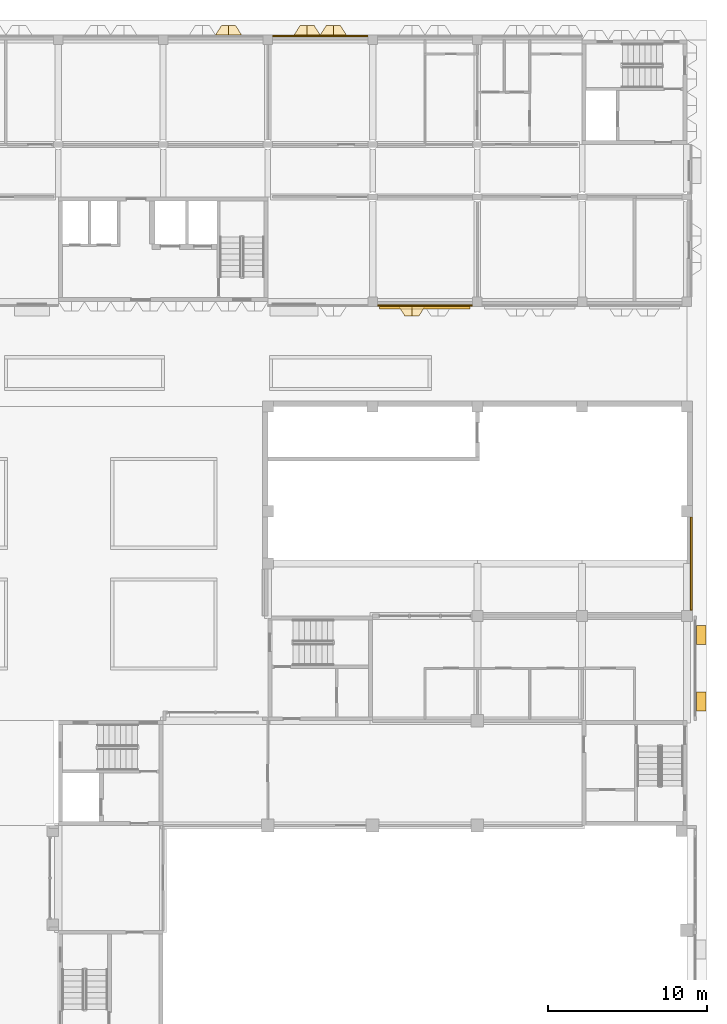
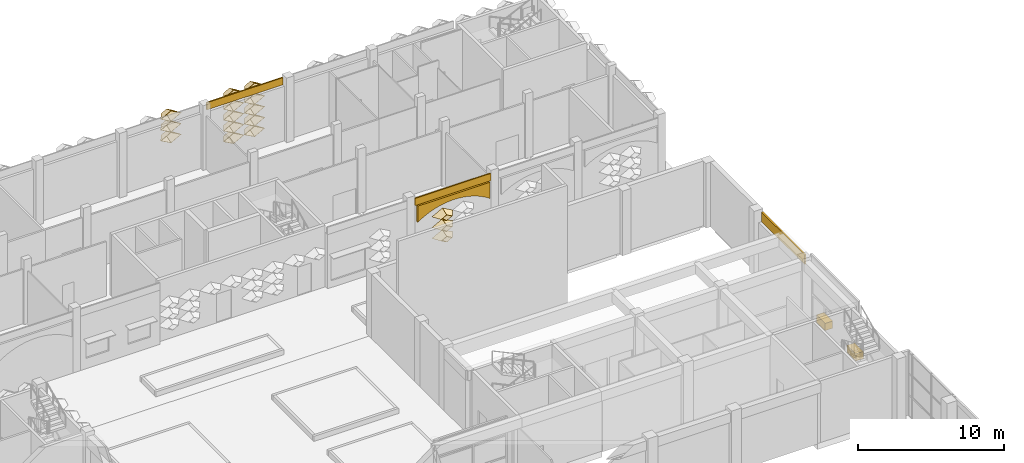
# One storey, part 79 of 85: 22 coverings.
"""IFC4 building model written with IfcOpenShell, lengths in metres."""

from ifc_helpers import new_model, entity, si_unit, direction, frame, frame_2d, origin, origin_2d, place, context, subcontext, project, spatial, polyline, rectangle, outline, extrude, material, layer, layer_set, type_object, element, save


model = new_model("IFC4")

# Units and contexts
model_context = context("Model", 3, precision=1e-05, world=origin(), true_north=direction((0.0, 1.0)))
body_context = subcontext(model_context, "Body", "Model", "MODEL_VIEW")
ifc_project = project(units=[si_unit("LENGTHUNIT", "METRE"), si_unit("AREAUNIT", "SQUARE_METRE"), si_unit("VOLUMEUNIT", "CUBIC_METRE"), si_unit("PLANEANGLEUNIT", "RADIAN"), si_unit("MASSUNIT", "GRAM", prefix="KILO")], contexts=[model_context])

# Site, building, storey
site_placement = place(None, origin())
site = spatial("IfcSite", under=ifc_project, at=site_placement, CompositionType="ELEMENT")
building_placement = place(site_placement, origin())
building = spatial("IfcBuilding", under=site, at=building_placement, Name="Lantern Court Research Institute", CompositionType="ELEMENT")
storey_placement = place(building_placement, origin())
storey = spatial("IfcBuildingStorey", under=building, at=storey_placement, Name="L00", CompositionType="ELEMENT", Elevation=0.0)

# Coverings
ifc_material_1 = material(Name="Glass fibre reinforced concrete cladding", Category="concrete")
ifc_layer_1 = layer(ifc_material_1, 0.25)
ifc_layer_set_1 = layer_set([ifc_layer_1], Name="Glass fibre reinforced concrete cladding")
covering_type_1 = type_object("IfcCoveringType", Name="Arcade frieze panel 250 glass fibre reinforced concrete", PredefinedType="CLADDING", material=ifc_layer_set_1)
covering_1_placement = place(storey_placement, frame((0.0, 82.199951171875, 0.0), z_axis=(0.0, -1.0, 0.0), x_axis=(1.0, 0.0, 0.0)))
element("IfcCovering", 1, at=covering_1_placement, inside=storey, type_object=covering_type_1, Name="Cloister arched frieze panel 6", PredefinedType="CLADDING", context=body_context, shape_type="SweptSolid", body=[
    extrude(outline(polyline([(59.85009765625, 4.550048828125), (59.85009765625, 3.199951171875), (60.08740234375, 3.356689453125), (60.324951171875, 3.494873046875), (60.5625, 3.615966796875), (60.800048828125, 3.721923828125), (61.03759765625, 3.813232421875), (61.27490234375, 3.89111328125), (61.512451171875, 3.955810546875), (61.75, 4.00830078125), (61.987548828125, 4.048583984375), (62.22509765625, 4.0771484375), (62.46240234375, 4.09423828125), (62.699951171875, 4.10009765625), (62.9375, 4.09423828125), (63.175048828125, 4.0771484375), (63.41259765625, 4.048583984375), (63.64990234375, 4.00830078125), (63.887451171875, 3.955810546875), (64.125, 3.89111328125), (64.362548828125, 3.813232421875), (64.60009765625, 3.721923828125), (64.83740234375, 3.615966796875), (65.074951171875, 3.494873046875), (65.3125, 3.356689453125), (65.550048828125, 3.199951171875), (65.550048828125, 4.550048828125), (59.85009765625, 4.550048828125)])), origin(), (0.0, 0.0, 1.0), 0.14990234375),
])
ifc_material_2 = material(Name="Aluminium composite panel with mineral wool insulation", Category="aluminium")
ifc_layer_2 = layer(ifc_material_2, 0.10009765625)
ifc_layer_set_2 = layer_set([ifc_layer_2], Name="Aluminium composite panel with mineral wool insulation")
covering_type_2 = type_object("IfcCoveringType", Name="Edge fascia panel 100 aluminium faced", PredefinedType="CLADDING", material=ifc_layer_set_2)
for number, where, z_axis, x_axis, name in (
    (2, (53.10009765625, 99.25, 4.550048828125), (0.0, 0.0, 1.0), (1.0, 0.0, 0.0), "Edge fascia V6N L00 08"),
    (3, (65.699951171875, 82.25, 4.550048828125), (0.0, 0.0, 1.0), (-1.0, 0.0, 0.0), "Edge fascia V6S L00 08"),
):
    element("IfcCovering", number, at=place(storey_placement, frame(where, z_axis=z_axis, x_axis=x_axis)), inside=storey, type_object=covering_type_2, Name=name, PredefinedType="CLADDING", context=body_context, shape_type="SweptSolid", body=[
        extrude(rectangle(XDim=6.0, YDim=0.10009765625, at=frame_2d((3.0, 0.0))), origin(), (0.0, 0.0, 1.0), 0.599853515625),
    ])
ifc_material_3 = material(Name="Aluminium composite panel with mineral wool insulation", Category="aluminium")
ifc_layer_3 = layer(ifc_material_3, 0.125)
ifc_layer_set_3 = layer_set([ifc_layer_3], Name="Aluminium composite panel with mineral wool insulation")
covering_type_3 = type_object("IfcCoveringType", Name="Edge fascia panel 125 aluminium faced", PredefinedType="CLADDING", material=ifc_layer_set_3)
covering_2_placement = place(storey_placement, frame((79.487548828125, 68.949951171875, 4.35009765625), z_axis=(0.0, 0.0, 1.0), x_axis=(0.0, -1.0, 0.0)))
element("IfcCovering", 4, at=covering_2_placement, inside=storey, type_object=covering_type_3, Name="Edge fascia V1E L00 01", PredefinedType="CLADDING", context=body_context, shape_type="SweptSolid", body=[
    extrude(rectangle(XDim=5.89990234375, YDim=0.125, at=frame_2d((2.949951171875, 0.0))), origin(), (0.0, 0.0, 1.0), 0.7998046875),
])
ifc_material_4 = material(Name="Glass fibre reinforced concrete cladding", Category="concrete")
ifc_layer_4 = layer(ifc_material_4, 0.699951171875)
ifc_layer_set_4 = layer_set([ifc_layer_4], Name="Glass fibre reinforced concrete cladding")
covering_type_4 = type_object("IfcCoveringType", Name="Entrance planter 700 glass fibre reinforced concrete", PredefinedType="CLADDING", material=ifc_layer_set_4)
for number, where, z_axis, x_axis, name in (
    (5, (80.10009765625, 61.5, 0.0), (0.0, 0.0, 1.0), (1.0, 0.0, 0.0), "Entrance planter 1"),
    (6, (80.10009765625, 57.300048828125, 0.0), (0.0, 0.0, 1.0), (1.0, 0.0, 0.0), "Entrance planter 2"),
):
    element("IfcCovering", number, at=place(storey_placement, frame(where, z_axis=z_axis, x_axis=x_axis)), inside=storey, type_object=covering_type_4, Name=name, PredefinedType="CLADDING", context=body_context, shape_type="SweptSolid", body=[
        extrude(rectangle(XDim=0.60009765625, YDim=1.199951171875, at=origin_2d()), origin(), (0.0, 0.0, 1.0), 0.60009765625),
    ])
ifc_material_5 = material(Name="Anodised aluminium", Category="aluminium")
ifc_layer_5 = layer(ifc_material_5, 0.01611328125)
ifc_layer_set_5 = layer_set([ifc_layer_5], Name="Anodised aluminium")
covering_type_5 = type_object("IfcCoveringType", Name="Fin cassette 1650 x 900 x 600 aluminium", PredefinedType="CLADDING", material=ifc_layer_set_5)
covering_3_placement = place(storey_placement, frame((55.27490234375, 99.300048828125, 1.35009765625), z_axis=(0.0, 1.0, 0.0), x_axis=(-1.0, 0.0, 0.0)))
cartesian_point_1 = entity("IfcCartesianPoint", [0.824951171875, 0.0])
cartesian_point_2 = entity("IfcCartesianPoint", [0.79150390625, 0.0])
cartesian_point_3 = entity("IfcCartesianPoint", [0.44189453125, 0.0])
cartesian_point_4 = entity("IfcCartesianPoint", [0.43359375, 0.0])
element("IfcCovering", 7, at=covering_3_placement, inside=storey, type_object=covering_type_5, Name="Fin cassette V6N-L00 2.34", PredefinedType="CLADDING", context=body_context, shape_type="SweptSolid", body=[
    entity("IfcExtrudedAreaSolidTapered", entity("IfcArbitraryProfileDefWithVoids", "AREA", None, entity("IfcPolyline", [cartesian_point_1, entity("IfcCartesianPoint", [0.0, 0.449951171875]), entity("IfcCartesianPoint", [-0.824951171875, 0.0]), entity("IfcCartesianPoint", [0.0, -0.449951171875]), cartesian_point_1]), [entity("IfcPolyline", [cartesian_point_2, entity("IfcCartesianPoint", [0.0, 0.431884765625]), entity("IfcCartesianPoint", [-0.79150390625, 0.0]), entity("IfcCartesianPoint", [0.0, -0.431884765625]), cartesian_point_2])]), entity("IfcAxis2Placement3D", entity("IfcCartesianPoint", [0.0, 0.0, 0.0])), entity("IfcDirection", [0.0, 0.0, 1.0]), 0.60009765625, entity("IfcArbitraryProfileDefWithVoids", "AREA", None, entity("IfcPolyline", [cartesian_point_3, entity("IfcCartesianPoint", [0.0, 0.240966796875]), entity("IfcCartesianPoint", [-0.44189453125, 0.0]), entity("IfcCartesianPoint", [0.0, -0.240966796875]), cartesian_point_3]), [entity("IfcPolyline", [cartesian_point_4, entity("IfcCartesianPoint", [0.0, 0.236572265625]), entity("IfcCartesianPoint", [-0.43359375, 0.0]), entity("IfcCartesianPoint", [0.0, -0.236572265625]), cartesian_point_4])])),
])
covering_4_placement = place(storey_placement, frame((56.925048828125, 99.300048828125, 1.35009765625), z_axis=(0.0, 1.0, 0.0), x_axis=(-1.0, 0.0, 0.0)))
cartesian_point_5 = entity("IfcCartesianPoint", [0.824951171875, 0.0])
cartesian_point_6 = entity("IfcCartesianPoint", [0.79150390625, 0.0])
cartesian_point_7 = entity("IfcCartesianPoint", [0.44189453125, 0.0])
cartesian_point_8 = entity("IfcCartesianPoint", [0.43359375, 0.0])
element("IfcCovering", 8, at=covering_4_placement, inside=storey, type_object=covering_type_5, Name="Fin cassette V6N-L00 2.35", PredefinedType="CLADDING", context=body_context, shape_type="SweptSolid", body=[
    entity("IfcExtrudedAreaSolidTapered", entity("IfcArbitraryProfileDefWithVoids", "AREA", None, entity("IfcPolyline", [cartesian_point_5, entity("IfcCartesianPoint", [0.0, 0.449951171875]), entity("IfcCartesianPoint", [-0.824951171875, 0.0]), entity("IfcCartesianPoint", [0.0, -0.449951171875]), cartesian_point_5]), [entity("IfcPolyline", [cartesian_point_6, entity("IfcCartesianPoint", [0.0, 0.431884765625]), entity("IfcCartesianPoint", [-0.79150390625, 0.0]), entity("IfcCartesianPoint", [0.0, -0.431884765625]), cartesian_point_6])]), entity("IfcAxis2Placement3D", entity("IfcCartesianPoint", [0.0, 0.0, 0.0])), entity("IfcDirection", [0.0, 0.0, 1.0]), 0.60009765625, entity("IfcArbitraryProfileDefWithVoids", "AREA", None, entity("IfcPolyline", [cartesian_point_7, entity("IfcCartesianPoint", [0.0, 0.240966796875]), entity("IfcCartesianPoint", [-0.44189453125, 0.0]), entity("IfcCartesianPoint", [0.0, -0.240966796875]), cartesian_point_7]), [entity("IfcPolyline", [cartesian_point_8, entity("IfcCartesianPoint", [0.0, 0.236572265625]), entity("IfcCartesianPoint", [-0.43359375, 0.0]), entity("IfcCartesianPoint", [0.0, -0.236572265625]), cartesian_point_8])])),
])
covering_5_placement = place(storey_placement, frame((55.27490234375, 99.300048828125, 2.25), z_axis=(0.0, 1.0, 0.0), x_axis=(-1.0, 0.0, 0.0)))
cartesian_point_9 = entity("IfcCartesianPoint", [0.824951171875, 0.0])
cartesian_point_10 = entity("IfcCartesianPoint", [0.79150390625, 0.0])
cartesian_point_11 = entity("IfcCartesianPoint", [0.44189453125, 0.0])
cartesian_point_12 = entity("IfcCartesianPoint", [0.43359375, 0.0])
element("IfcCovering", 9, at=covering_5_placement, inside=storey, type_object=covering_type_5, Name="Fin cassette V6N-L00 3.34", PredefinedType="CLADDING", context=body_context, shape_type="SweptSolid", body=[
    entity("IfcExtrudedAreaSolidTapered", entity("IfcArbitraryProfileDefWithVoids", "AREA", None, entity("IfcPolyline", [cartesian_point_9, entity("IfcCartesianPoint", [0.0, 0.449951171875]), entity("IfcCartesianPoint", [-0.824951171875, 0.0]), entity("IfcCartesianPoint", [0.0, -0.449951171875]), cartesian_point_9]), [entity("IfcPolyline", [cartesian_point_10, entity("IfcCartesianPoint", [0.0, 0.431884765625]), entity("IfcCartesianPoint", [-0.79150390625, 0.0]), entity("IfcCartesianPoint", [0.0, -0.431884765625]), cartesian_point_10])]), entity("IfcAxis2Placement3D", entity("IfcCartesianPoint", [0.0, 0.0, 0.0])), entity("IfcDirection", [0.0, 0.0, 1.0]), 0.60009765625, entity("IfcArbitraryProfileDefWithVoids", "AREA", None, entity("IfcPolyline", [cartesian_point_11, entity("IfcCartesianPoint", [0.0, 0.240966796875]), entity("IfcCartesianPoint", [-0.44189453125, 0.0]), entity("IfcCartesianPoint", [0.0, -0.240966796875]), cartesian_point_11]), [entity("IfcPolyline", [cartesian_point_12, entity("IfcCartesianPoint", [0.0, 0.236572265625]), entity("IfcCartesianPoint", [-0.43359375, 0.0]), entity("IfcCartesianPoint", [0.0, -0.236572265625]), cartesian_point_12])])),
])
covering_6_placement = place(storey_placement, frame((56.925048828125, 99.300048828125, 2.25), z_axis=(0.0, 1.0, 0.0), x_axis=(-1.0, 0.0, 0.0)))
cartesian_point_13 = entity("IfcCartesianPoint", [0.824951171875, 0.0])
cartesian_point_14 = entity("IfcCartesianPoint", [0.79150390625, 0.0])
cartesian_point_15 = entity("IfcCartesianPoint", [0.44189453125, 0.0])
cartesian_point_16 = entity("IfcCartesianPoint", [0.43359375, 0.0])
element("IfcCovering", 10, at=covering_6_placement, inside=storey, type_object=covering_type_5, Name="Fin cassette V6N-L00 3.35", PredefinedType="CLADDING", context=body_context, shape_type="SweptSolid", body=[
    entity("IfcExtrudedAreaSolidTapered", entity("IfcArbitraryProfileDefWithVoids", "AREA", None, entity("IfcPolyline", [cartesian_point_13, entity("IfcCartesianPoint", [0.0, 0.449951171875]), entity("IfcCartesianPoint", [-0.824951171875, 0.0]), entity("IfcCartesianPoint", [0.0, -0.449951171875]), cartesian_point_13]), [entity("IfcPolyline", [cartesian_point_14, entity("IfcCartesianPoint", [0.0, 0.431884765625]), entity("IfcCartesianPoint", [-0.79150390625, 0.0]), entity("IfcCartesianPoint", [0.0, -0.431884765625]), cartesian_point_14])]), entity("IfcAxis2Placement3D", entity("IfcCartesianPoint", [0.0, 0.0, 0.0])), entity("IfcDirection", [0.0, 0.0, 1.0]), 0.60009765625, entity("IfcArbitraryProfileDefWithVoids", "AREA", None, entity("IfcPolyline", [cartesian_point_15, entity("IfcCartesianPoint", [0.0, 0.240966796875]), entity("IfcCartesianPoint", [-0.44189453125, 0.0]), entity("IfcCartesianPoint", [0.0, -0.240966796875]), cartesian_point_15]), [entity("IfcPolyline", [cartesian_point_16, entity("IfcCartesianPoint", [0.0, 0.236572265625]), entity("IfcCartesianPoint", [-0.43359375, 0.0]), entity("IfcCartesianPoint", [0.0, -0.236572265625]), cartesian_point_16])])),
])
covering_7_placement = place(storey_placement, frame((50.324951171875, 99.300048828125, 3.14990234375), z_axis=(0.0, 1.0, 0.0), x_axis=(-1.0, 0.0, 0.0)))
cartesian_point_17 = entity("IfcCartesianPoint", [0.824951171875, 0.0])
cartesian_point_18 = entity("IfcCartesianPoint", [0.79150390625, 0.0])
cartesian_point_19 = entity("IfcCartesianPoint", [0.44189453125, 0.0])
cartesian_point_20 = entity("IfcCartesianPoint", [0.43359375, 0.0])
element("IfcCovering", 11, at=covering_7_placement, inside=storey, type_object=covering_type_5, Name="Fin cassette V6N-L00 4.31", PredefinedType="CLADDING", context=body_context, shape_type="SweptSolid", body=[
    entity("IfcExtrudedAreaSolidTapered", entity("IfcArbitraryProfileDefWithVoids", "AREA", None, entity("IfcPolyline", [cartesian_point_17, entity("IfcCartesianPoint", [0.0, 0.449951171875]), entity("IfcCartesianPoint", [-0.824951171875, 0.0]), entity("IfcCartesianPoint", [0.0, -0.449951171875]), cartesian_point_17]), [entity("IfcPolyline", [cartesian_point_18, entity("IfcCartesianPoint", [0.0, 0.431884765625]), entity("IfcCartesianPoint", [-0.79150390625, 0.0]), entity("IfcCartesianPoint", [0.0, -0.431884765625]), cartesian_point_18])]), entity("IfcAxis2Placement3D", entity("IfcCartesianPoint", [0.0, 0.0, 0.0])), entity("IfcDirection", [0.0, 0.0, 1.0]), 0.60009765625, entity("IfcArbitraryProfileDefWithVoids", "AREA", None, entity("IfcPolyline", [cartesian_point_19, entity("IfcCartesianPoint", [0.0, 0.240966796875]), entity("IfcCartesianPoint", [-0.44189453125, 0.0]), entity("IfcCartesianPoint", [0.0, -0.240966796875]), cartesian_point_19]), [entity("IfcPolyline", [cartesian_point_20, entity("IfcCartesianPoint", [0.0, 0.236572265625]), entity("IfcCartesianPoint", [-0.43359375, 0.0]), entity("IfcCartesianPoint", [0.0, -0.236572265625]), cartesian_point_20])])),
])
covering_8_placement = place(storey_placement, frame((55.27490234375, 99.300048828125, 3.14990234375), z_axis=(0.0, 1.0, 0.0), x_axis=(-1.0, 0.0, 0.0)))
cartesian_point_21 = entity("IfcCartesianPoint", [0.824951171875, 0.0])
cartesian_point_22 = entity("IfcCartesianPoint", [0.79150390625, 0.0])
cartesian_point_23 = entity("IfcCartesianPoint", [0.44189453125, 0.0])
cartesian_point_24 = entity("IfcCartesianPoint", [0.43359375, 0.0])
element("IfcCovering", 12, at=covering_8_placement, inside=storey, type_object=covering_type_5, Name="Fin cassette V6N-L00 4.34", PredefinedType="CLADDING", context=body_context, shape_type="SweptSolid", body=[
    entity("IfcExtrudedAreaSolidTapered", entity("IfcArbitraryProfileDefWithVoids", "AREA", None, entity("IfcPolyline", [cartesian_point_21, entity("IfcCartesianPoint", [0.0, 0.449951171875]), entity("IfcCartesianPoint", [-0.824951171875, 0.0]), entity("IfcCartesianPoint", [0.0, -0.449951171875]), cartesian_point_21]), [entity("IfcPolyline", [cartesian_point_22, entity("IfcCartesianPoint", [0.0, 0.431884765625]), entity("IfcCartesianPoint", [-0.79150390625, 0.0]), entity("IfcCartesianPoint", [0.0, -0.431884765625]), cartesian_point_22])]), entity("IfcAxis2Placement3D", entity("IfcCartesianPoint", [0.0, 0.0, 0.0])), entity("IfcDirection", [0.0, 0.0, 1.0]), 0.60009765625, entity("IfcArbitraryProfileDefWithVoids", "AREA", None, entity("IfcPolyline", [cartesian_point_23, entity("IfcCartesianPoint", [0.0, 0.240966796875]), entity("IfcCartesianPoint", [-0.44189453125, 0.0]), entity("IfcCartesianPoint", [0.0, -0.240966796875]), cartesian_point_23]), [entity("IfcPolyline", [cartesian_point_24, entity("IfcCartesianPoint", [0.0, 0.236572265625]), entity("IfcCartesianPoint", [-0.43359375, 0.0]), entity("IfcCartesianPoint", [0.0, -0.236572265625]), cartesian_point_24])])),
])
covering_9_placement = place(storey_placement, frame((56.925048828125, 99.300048828125, 3.14990234375), z_axis=(0.0, 1.0, 0.0), x_axis=(-1.0, 0.0, 0.0)))
cartesian_point_25 = entity("IfcCartesianPoint", [0.824951171875, 0.0])
cartesian_point_26 = entity("IfcCartesianPoint", [0.79150390625, 0.0])
cartesian_point_27 = entity("IfcCartesianPoint", [0.44189453125, 0.0])
cartesian_point_28 = entity("IfcCartesianPoint", [0.43359375, 0.0])
element("IfcCovering", 13, at=covering_9_placement, inside=storey, type_object=covering_type_5, Name="Fin cassette V6N-L00 4.35", PredefinedType="CLADDING", context=body_context, shape_type="SweptSolid", body=[
    entity("IfcExtrudedAreaSolidTapered", entity("IfcArbitraryProfileDefWithVoids", "AREA", None, entity("IfcPolyline", [cartesian_point_25, entity("IfcCartesianPoint", [0.0, 0.449951171875]), entity("IfcCartesianPoint", [-0.824951171875, 0.0]), entity("IfcCartesianPoint", [0.0, -0.449951171875]), cartesian_point_25]), [entity("IfcPolyline", [cartesian_point_26, entity("IfcCartesianPoint", [0.0, 0.431884765625]), entity("IfcCartesianPoint", [-0.79150390625, 0.0]), entity("IfcCartesianPoint", [0.0, -0.431884765625]), cartesian_point_26])]), entity("IfcAxis2Placement3D", entity("IfcCartesianPoint", [0.0, 0.0, 0.0])), entity("IfcDirection", [0.0, 0.0, 1.0]), 0.60009765625, entity("IfcArbitraryProfileDefWithVoids", "AREA", None, entity("IfcPolyline", [cartesian_point_27, entity("IfcCartesianPoint", [0.0, 0.240966796875]), entity("IfcCartesianPoint", [-0.44189453125, 0.0]), entity("IfcCartesianPoint", [0.0, -0.240966796875]), cartesian_point_27]), [entity("IfcPolyline", [cartesian_point_28, entity("IfcCartesianPoint", [0.0, 0.236572265625]), entity("IfcCartesianPoint", [-0.43359375, 0.0]), entity("IfcCartesianPoint", [0.0, -0.236572265625]), cartesian_point_28])])),
])
covering_10_placement = place(storey_placement, frame((50.324951171875, 99.300048828125, 4.050048828125), z_axis=(0.0, 1.0, 0.0), x_axis=(-1.0, 0.0, 0.0)))
cartesian_point_29 = entity("IfcCartesianPoint", [0.824951171875, 0.0])
cartesian_point_30 = entity("IfcCartesianPoint", [0.79150390625, 0.0])
cartesian_point_31 = entity("IfcCartesianPoint", [0.44189453125, 0.0])
cartesian_point_32 = entity("IfcCartesianPoint", [0.43359375, 0.0])
element("IfcCovering", 14, at=covering_10_placement, inside=storey, type_object=covering_type_5, Name="Fin cassette V6N-L00 5.31", PredefinedType="CLADDING", context=body_context, shape_type="SweptSolid", body=[
    entity("IfcExtrudedAreaSolidTapered", entity("IfcArbitraryProfileDefWithVoids", "AREA", None, entity("IfcPolyline", [cartesian_point_29, entity("IfcCartesianPoint", [0.0, 0.449951171875]), entity("IfcCartesianPoint", [-0.824951171875, 0.0]), entity("IfcCartesianPoint", [0.0, -0.449951171875]), cartesian_point_29]), [entity("IfcPolyline", [cartesian_point_30, entity("IfcCartesianPoint", [0.0, 0.431884765625]), entity("IfcCartesianPoint", [-0.79150390625, 0.0]), entity("IfcCartesianPoint", [0.0, -0.431884765625]), cartesian_point_30])]), entity("IfcAxis2Placement3D", entity("IfcCartesianPoint", [0.0, 0.0, 0.0])), entity("IfcDirection", [0.0, 0.0, 1.0]), 0.60009765625, entity("IfcArbitraryProfileDefWithVoids", "AREA", None, entity("IfcPolyline", [cartesian_point_31, entity("IfcCartesianPoint", [0.0, 0.240966796875]), entity("IfcCartesianPoint", [-0.44189453125, 0.0]), entity("IfcCartesianPoint", [0.0, -0.240966796875]), cartesian_point_31]), [entity("IfcPolyline", [cartesian_point_32, entity("IfcCartesianPoint", [0.0, 0.236572265625]), entity("IfcCartesianPoint", [-0.43359375, 0.0]), entity("IfcCartesianPoint", [0.0, -0.236572265625]), cartesian_point_32])])),
])
covering_11_placement = place(storey_placement, frame((55.27490234375, 99.300048828125, 4.050048828125), z_axis=(0.0, 1.0, 0.0), x_axis=(-1.0, 0.0, 0.0)))
cartesian_point_33 = entity("IfcCartesianPoint", [0.824951171875, 0.0])
cartesian_point_34 = entity("IfcCartesianPoint", [0.79150390625, 0.0])
cartesian_point_35 = entity("IfcCartesianPoint", [0.44189453125, 0.0])
cartesian_point_36 = entity("IfcCartesianPoint", [0.43359375, 0.0])
element("IfcCovering", 15, at=covering_11_placement, inside=storey, type_object=covering_type_5, Name="Fin cassette V6N-L00 5.34", PredefinedType="CLADDING", context=body_context, shape_type="SweptSolid", body=[
    entity("IfcExtrudedAreaSolidTapered", entity("IfcArbitraryProfileDefWithVoids", "AREA", None, entity("IfcPolyline", [cartesian_point_33, entity("IfcCartesianPoint", [0.0, 0.449951171875]), entity("IfcCartesianPoint", [-0.824951171875, 0.0]), entity("IfcCartesianPoint", [0.0, -0.449951171875]), cartesian_point_33]), [entity("IfcPolyline", [cartesian_point_34, entity("IfcCartesianPoint", [0.0, 0.431884765625]), entity("IfcCartesianPoint", [-0.79150390625, 0.0]), entity("IfcCartesianPoint", [0.0, -0.431884765625]), cartesian_point_34])]), entity("IfcAxis2Placement3D", entity("IfcCartesianPoint", [0.0, 0.0, 0.0])), entity("IfcDirection", [0.0, 0.0, 1.0]), 0.60009765625, entity("IfcArbitraryProfileDefWithVoids", "AREA", None, entity("IfcPolyline", [cartesian_point_35, entity("IfcCartesianPoint", [0.0, 0.240966796875]), entity("IfcCartesianPoint", [-0.44189453125, 0.0]), entity("IfcCartesianPoint", [0.0, -0.240966796875]), cartesian_point_35]), [entity("IfcPolyline", [cartesian_point_36, entity("IfcCartesianPoint", [0.0, 0.236572265625]), entity("IfcCartesianPoint", [-0.43359375, 0.0]), entity("IfcCartesianPoint", [0.0, -0.236572265625]), cartesian_point_36])])),
])
covering_12_placement = place(storey_placement, frame((56.925048828125, 99.300048828125, 4.050048828125), z_axis=(0.0, 1.0, 0.0), x_axis=(-1.0, 0.0, 0.0)))
cartesian_point_37 = entity("IfcCartesianPoint", [0.824951171875, 0.0])
cartesian_point_38 = entity("IfcCartesianPoint", [0.79150390625, 0.0])
cartesian_point_39 = entity("IfcCartesianPoint", [0.44189453125, 0.0])
cartesian_point_40 = entity("IfcCartesianPoint", [0.43359375, 0.0])
element("IfcCovering", 16, at=covering_12_placement, inside=storey, type_object=covering_type_5, Name="Fin cassette V6N-L00 5.35", PredefinedType="CLADDING", context=body_context, shape_type="SweptSolid", body=[
    entity("IfcExtrudedAreaSolidTapered", entity("IfcArbitraryProfileDefWithVoids", "AREA", None, entity("IfcPolyline", [cartesian_point_37, entity("IfcCartesianPoint", [0.0, 0.449951171875]), entity("IfcCartesianPoint", [-0.824951171875, 0.0]), entity("IfcCartesianPoint", [0.0, -0.449951171875]), cartesian_point_37]), [entity("IfcPolyline", [cartesian_point_38, entity("IfcCartesianPoint", [0.0, 0.431884765625]), entity("IfcCartesianPoint", [-0.79150390625, 0.0]), entity("IfcCartesianPoint", [0.0, -0.431884765625]), cartesian_point_38])]), entity("IfcAxis2Placement3D", entity("IfcCartesianPoint", [0.0, 0.0, 0.0])), entity("IfcDirection", [0.0, 0.0, 1.0]), 0.60009765625, entity("IfcArbitraryProfileDefWithVoids", "AREA", None, entity("IfcPolyline", [cartesian_point_39, entity("IfcCartesianPoint", [0.0, 0.240966796875]), entity("IfcCartesianPoint", [-0.44189453125, 0.0]), entity("IfcCartesianPoint", [0.0, -0.240966796875]), cartesian_point_39]), [entity("IfcPolyline", [cartesian_point_40, entity("IfcCartesianPoint", [0.0, 0.236572265625]), entity("IfcCartesianPoint", [-0.43359375, 0.0]), entity("IfcCartesianPoint", [0.0, -0.236572265625]), cartesian_point_40])])),
])
covering_13_placement = place(storey_placement, frame((50.324951171875, 99.300048828125, 4.949951171875), z_axis=(0.0, 1.0, 0.0), x_axis=(-1.0, 0.0, 0.0)))
cartesian_point_41 = entity("IfcCartesianPoint", [0.824951171875, 0.0])
cartesian_point_42 = entity("IfcCartesianPoint", [0.79150390625, 0.0])
cartesian_point_43 = entity("IfcCartesianPoint", [0.44189453125, 0.0])
cartesian_point_44 = entity("IfcCartesianPoint", [0.43359375, 0.0])
element("IfcCovering", 17, at=covering_13_placement, inside=storey, type_object=covering_type_5, Name="Fin cassette V6N-L00 6.31", PredefinedType="CLADDING", context=body_context, shape_type="SweptSolid", body=[
    entity("IfcExtrudedAreaSolidTapered", entity("IfcArbitraryProfileDefWithVoids", "AREA", None, entity("IfcPolyline", [cartesian_point_41, entity("IfcCartesianPoint", [0.0, 0.449951171875]), entity("IfcCartesianPoint", [-0.824951171875, 0.0]), entity("IfcCartesianPoint", [0.0, -0.449951171875]), cartesian_point_41]), [entity("IfcPolyline", [cartesian_point_42, entity("IfcCartesianPoint", [0.0, 0.431884765625]), entity("IfcCartesianPoint", [-0.79150390625, 0.0]), entity("IfcCartesianPoint", [0.0, -0.431884765625]), cartesian_point_42])]), entity("IfcAxis2Placement3D", entity("IfcCartesianPoint", [0.0, 0.0, 0.0])), entity("IfcDirection", [0.0, 0.0, 1.0]), 0.60009765625, entity("IfcArbitraryProfileDefWithVoids", "AREA", None, entity("IfcPolyline", [cartesian_point_43, entity("IfcCartesianPoint", [0.0, 0.240966796875]), entity("IfcCartesianPoint", [-0.44189453125, 0.0]), entity("IfcCartesianPoint", [0.0, -0.240966796875]), cartesian_point_43]), [entity("IfcPolyline", [cartesian_point_44, entity("IfcCartesianPoint", [0.0, 0.236572265625]), entity("IfcCartesianPoint", [-0.43359375, 0.0]), entity("IfcCartesianPoint", [0.0, -0.236572265625]), cartesian_point_44])])),
])
covering_14_placement = place(storey_placement, frame((55.27490234375, 99.300048828125, 4.949951171875), z_axis=(0.0, 1.0, 0.0), x_axis=(-1.0, 0.0, 0.0)))
cartesian_point_45 = entity("IfcCartesianPoint", [0.824951171875, 0.0])
cartesian_point_46 = entity("IfcCartesianPoint", [0.79150390625, 0.0])
cartesian_point_47 = entity("IfcCartesianPoint", [0.44189453125, 0.0])
cartesian_point_48 = entity("IfcCartesianPoint", [0.43359375, 0.0])
element("IfcCovering", 18, at=covering_14_placement, inside=storey, type_object=covering_type_5, Name="Fin cassette V6N-L00 6.34", PredefinedType="CLADDING", context=body_context, shape_type="SweptSolid", body=[
    entity("IfcExtrudedAreaSolidTapered", entity("IfcArbitraryProfileDefWithVoids", "AREA", None, entity("IfcPolyline", [cartesian_point_45, entity("IfcCartesianPoint", [0.0, 0.449951171875]), entity("IfcCartesianPoint", [-0.824951171875, 0.0]), entity("IfcCartesianPoint", [0.0, -0.449951171875]), cartesian_point_45]), [entity("IfcPolyline", [cartesian_point_46, entity("IfcCartesianPoint", [0.0, 0.431884765625]), entity("IfcCartesianPoint", [-0.79150390625, 0.0]), entity("IfcCartesianPoint", [0.0, -0.431884765625]), cartesian_point_46])]), entity("IfcAxis2Placement3D", entity("IfcCartesianPoint", [0.0, 0.0, 0.0])), entity("IfcDirection", [0.0, 0.0, 1.0]), 0.60009765625, entity("IfcArbitraryProfileDefWithVoids", "AREA", None, entity("IfcPolyline", [cartesian_point_47, entity("IfcCartesianPoint", [0.0, 0.240966796875]), entity("IfcCartesianPoint", [-0.44189453125, 0.0]), entity("IfcCartesianPoint", [0.0, -0.240966796875]), cartesian_point_47]), [entity("IfcPolyline", [cartesian_point_48, entity("IfcCartesianPoint", [0.0, 0.236572265625]), entity("IfcCartesianPoint", [-0.43359375, 0.0]), entity("IfcCartesianPoint", [0.0, -0.236572265625]), cartesian_point_48])])),
])
covering_15_placement = place(storey_placement, frame((56.925048828125, 99.300048828125, 4.949951171875), z_axis=(0.0, 1.0, 0.0), x_axis=(-1.0, 0.0, 0.0)))
cartesian_point_49 = entity("IfcCartesianPoint", [0.824951171875, 0.0])
cartesian_point_50 = entity("IfcCartesianPoint", [0.79150390625, 0.0])
cartesian_point_51 = entity("IfcCartesianPoint", [0.44189453125, 0.0])
cartesian_point_52 = entity("IfcCartesianPoint", [0.43359375, 0.0])
element("IfcCovering", 19, at=covering_15_placement, inside=storey, type_object=covering_type_5, Name="Fin cassette V6N-L00 6.35", PredefinedType="CLADDING", context=body_context, shape_type="SweptSolid", body=[
    entity("IfcExtrudedAreaSolidTapered", entity("IfcArbitraryProfileDefWithVoids", "AREA", None, entity("IfcPolyline", [cartesian_point_49, entity("IfcCartesianPoint", [0.0, 0.449951171875]), entity("IfcCartesianPoint", [-0.824951171875, 0.0]), entity("IfcCartesianPoint", [0.0, -0.449951171875]), cartesian_point_49]), [entity("IfcPolyline", [cartesian_point_50, entity("IfcCartesianPoint", [0.0, 0.431884765625]), entity("IfcCartesianPoint", [-0.79150390625, 0.0]), entity("IfcCartesianPoint", [0.0, -0.431884765625]), cartesian_point_50])]), entity("IfcAxis2Placement3D", entity("IfcCartesianPoint", [0.0, 0.0, 0.0])), entity("IfcDirection", [0.0, 0.0, 1.0]), 0.60009765625, entity("IfcArbitraryProfileDefWithVoids", "AREA", None, entity("IfcPolyline", [cartesian_point_51, entity("IfcCartesianPoint", [0.0, 0.240966796875]), entity("IfcCartesianPoint", [-0.44189453125, 0.0]), entity("IfcCartesianPoint", [0.0, -0.240966796875]), cartesian_point_51]), [entity("IfcPolyline", [cartesian_point_52, entity("IfcCartesianPoint", [0.0, 0.236572265625]), entity("IfcCartesianPoint", [-0.43359375, 0.0]), entity("IfcCartesianPoint", [0.0, -0.236572265625]), cartesian_point_52])])),
])
covering_16_placement = place(storey_placement, frame((61.875, 82.199951171875, 1.35009765625), z_axis=(0.0, -1.0, 0.0), x_axis=(1.0, 0.0, 0.0)))
cartesian_point_53 = entity("IfcCartesianPoint", [0.824951171875, 0.0])
cartesian_point_54 = entity("IfcCartesianPoint", [0.79150390625, 0.0])
cartesian_point_55 = entity("IfcCartesianPoint", [0.44189453125, 0.0])
cartesian_point_56 = entity("IfcCartesianPoint", [0.43359375, 0.0])
element("IfcCovering", 20, at=covering_16_placement, inside=storey, type_object=covering_type_5, Name="Fin cassette V6S-L00 2.38", PredefinedType="CLADDING", context=body_context, shape_type="SweptSolid", body=[
    entity("IfcExtrudedAreaSolidTapered", entity("IfcArbitraryProfileDefWithVoids", "AREA", None, entity("IfcPolyline", [cartesian_point_53, entity("IfcCartesianPoint", [0.0, 0.449951171875]), entity("IfcCartesianPoint", [-0.824951171875, 0.0]), entity("IfcCartesianPoint", [0.0, -0.449951171875]), cartesian_point_53]), [entity("IfcPolyline", [cartesian_point_54, entity("IfcCartesianPoint", [0.0, 0.431884765625]), entity("IfcCartesianPoint", [-0.79150390625, 0.0]), entity("IfcCartesianPoint", [0.0, -0.431884765625]), cartesian_point_54])]), entity("IfcAxis2Placement3D", entity("IfcCartesianPoint", [0.0, 0.0, 0.0])), entity("IfcDirection", [0.0, 0.0, 1.0]), 0.60009765625, entity("IfcArbitraryProfileDefWithVoids", "AREA", None, entity("IfcPolyline", [cartesian_point_55, entity("IfcCartesianPoint", [0.0, 0.240966796875]), entity("IfcCartesianPoint", [-0.44189453125, 0.0]), entity("IfcCartesianPoint", [0.0, -0.240966796875]), cartesian_point_55]), [entity("IfcPolyline", [cartesian_point_56, entity("IfcCartesianPoint", [0.0, 0.236572265625]), entity("IfcCartesianPoint", [-0.43359375, 0.0]), entity("IfcCartesianPoint", [0.0, -0.236572265625]), cartesian_point_56])])),
])
covering_17_placement = place(storey_placement, frame((61.875, 82.199951171875, 2.25), z_axis=(0.0, -1.0, 0.0), x_axis=(1.0, 0.0, 0.0)))
cartesian_point_57 = entity("IfcCartesianPoint", [0.824951171875, 0.0])
cartesian_point_58 = entity("IfcCartesianPoint", [0.79150390625, 0.0])
cartesian_point_59 = entity("IfcCartesianPoint", [0.44189453125, 0.0])
cartesian_point_60 = entity("IfcCartesianPoint", [0.43359375, 0.0])
element("IfcCovering", 21, at=covering_17_placement, inside=storey, type_object=covering_type_5, Name="Fin cassette V6S-L00 3.38", PredefinedType="CLADDING", context=body_context, shape_type="SweptSolid", body=[
    entity("IfcExtrudedAreaSolidTapered", entity("IfcArbitraryProfileDefWithVoids", "AREA", None, entity("IfcPolyline", [cartesian_point_57, entity("IfcCartesianPoint", [0.0, 0.449951171875]), entity("IfcCartesianPoint", [-0.824951171875, 0.0]), entity("IfcCartesianPoint", [0.0, -0.449951171875]), cartesian_point_57]), [entity("IfcPolyline", [cartesian_point_58, entity("IfcCartesianPoint", [0.0, 0.431884765625]), entity("IfcCartesianPoint", [-0.79150390625, 0.0]), entity("IfcCartesianPoint", [0.0, -0.431884765625]), cartesian_point_58])]), entity("IfcAxis2Placement3D", entity("IfcCartesianPoint", [0.0, 0.0, 0.0])), entity("IfcDirection", [0.0, 0.0, 1.0]), 0.60009765625, entity("IfcArbitraryProfileDefWithVoids", "AREA", None, entity("IfcPolyline", [cartesian_point_59, entity("IfcCartesianPoint", [0.0, 0.240966796875]), entity("IfcCartesianPoint", [-0.44189453125, 0.0]), entity("IfcCartesianPoint", [0.0, -0.240966796875]), cartesian_point_59]), [entity("IfcPolyline", [cartesian_point_60, entity("IfcCartesianPoint", [0.0, 0.236572265625]), entity("IfcCartesianPoint", [-0.43359375, 0.0]), entity("IfcCartesianPoint", [0.0, -0.236572265625]), cartesian_point_60])])),
])
covering_18_placement = place(storey_placement, frame((61.875, 82.199951171875, 3.14990234375), z_axis=(0.0, -1.0, 0.0), x_axis=(1.0, 0.0, 0.0)))
cartesian_point_61 = entity("IfcCartesianPoint", [0.824951171875, 0.0])
cartesian_point_62 = entity("IfcCartesianPoint", [0.79150390625, 0.0])
cartesian_point_63 = entity("IfcCartesianPoint", [0.44189453125, 0.0])
cartesian_point_64 = entity("IfcCartesianPoint", [0.43359375, 0.0])
element("IfcCovering", 22, at=covering_18_placement, inside=storey, type_object=covering_type_5, Name="Fin cassette V6S-L00 4.38", PredefinedType="CLADDING", context=body_context, shape_type="SweptSolid", body=[
    entity("IfcExtrudedAreaSolidTapered", entity("IfcArbitraryProfileDefWithVoids", "AREA", None, entity("IfcPolyline", [cartesian_point_61, entity("IfcCartesianPoint", [0.0, 0.449951171875]), entity("IfcCartesianPoint", [-0.824951171875, 0.0]), entity("IfcCartesianPoint", [0.0, -0.449951171875]), cartesian_point_61]), [entity("IfcPolyline", [cartesian_point_62, entity("IfcCartesianPoint", [0.0, 0.431884765625]), entity("IfcCartesianPoint", [-0.79150390625, 0.0]), entity("IfcCartesianPoint", [0.0, -0.431884765625]), cartesian_point_62])]), entity("IfcAxis2Placement3D", entity("IfcCartesianPoint", [0.0, 0.0, 0.0])), entity("IfcDirection", [0.0, 0.0, 1.0]), 0.60009765625, entity("IfcArbitraryProfileDefWithVoids", "AREA", None, entity("IfcPolyline", [cartesian_point_63, entity("IfcCartesianPoint", [0.0, 0.240966796875]), entity("IfcCartesianPoint", [-0.44189453125, 0.0]), entity("IfcCartesianPoint", [0.0, -0.240966796875]), cartesian_point_63]), [entity("IfcPolyline", [cartesian_point_64, entity("IfcCartesianPoint", [0.0, 0.236572265625]), entity("IfcCartesianPoint", [-0.43359375, 0.0]), entity("IfcCartesianPoint", [0.0, -0.236572265625]), cartesian_point_64])])),
])

save(model, "model.ifc")
